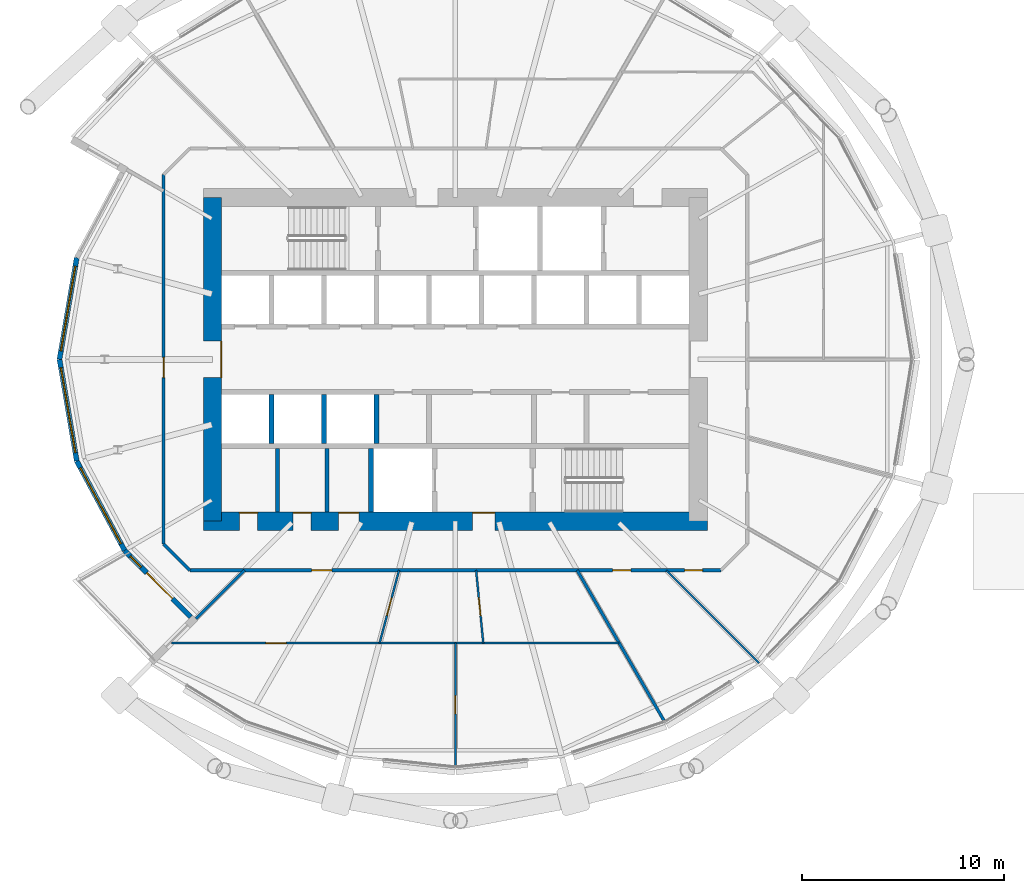
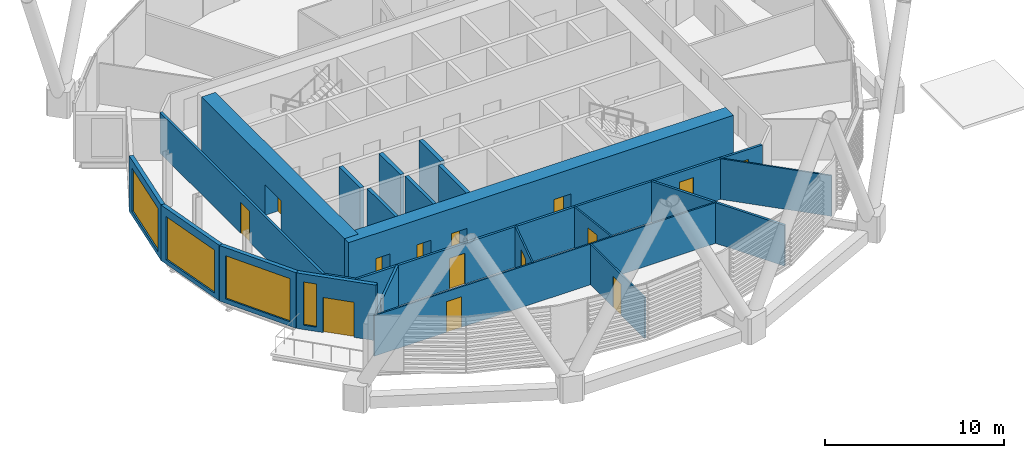
# One storey, part 22 of 34: 23 walls, 14 doors, 4 windows, 18 openings.
"""IFC4 building model written with IfcOpenShell, lengths in metres."""

from ifc_helpers import new_model, si_unit, direction, frame, frame_2d, origin, place, context, subcontext, project, spatial, rectangle, extrude, material, layer, layer_set, type_object, element, fill, save


model = new_model("IFC4")

# Units and contexts
model_context = context("Model", 3, precision=1e-05, world=origin(), true_north=direction((0.0, 1.0)))
body_context = subcontext(model_context, "Body", "Model", "MODEL_VIEW")
ifc_project = project(units=[si_unit("LENGTHUNIT", "METRE"), si_unit("AREAUNIT", "SQUARE_METRE"), si_unit("VOLUMEUNIT", "CUBIC_METRE"), si_unit("PLANEANGLEUNIT", "RADIAN"), si_unit("MASSUNIT", "GRAM", prefix="KILO")], contexts=[model_context])

# Site, building, storey
site_placement = place(None, origin())
site = spatial("IfcSite", under=ifc_project, at=site_placement, CompositionType="ELEMENT")
building_placement = place(site_placement, origin())
building = spatial("IfcBuilding", under=site, at=building_placement, Name="Rimbun Link Towers", CompositionType="ELEMENT")
storey_placement = place(building_placement, frame((0.0, 0.0, 41.39990234375)))
storey = spatial("IfcBuildingStorey", under=building, at=storey_placement, Name="L09", CompositionType="ELEMENT", Elevation=41.39990234375)

# Wall, opening, window
ifc_material_1 = material(Name="Dark enamelled glass spandrel on insulated aluminium backpan", Category="aluminium")
ifc_layer_1 = layer(ifc_material_1, 0.25)
ifc_layer_set_1 = layer_set([ifc_layer_1], Name="CS dark enamelled spandrel wall 250")
wall_type_1 = type_object("IfcWallType", Name="CS dark enamelled spandrel wall 250", PredefinedType="STANDARD", material=ifc_layer_set_1)
wall_1_placement = place(storey_placement, frame((-51.318603515625, 0.0, 0.0), z_axis=(0.0, 0.0, 1.0), x_axis=(0.167358464332, 0.985896112385, 0.0)))
wall_1 = element("IfcWall", 1, at=wall_1_placement, inside=storey, type_object=wall_type_1, Name="Crease spandrel wall", PredefinedType="STANDARD", context=body_context, shape_type="SweptSolid", body=[
    extrude(rectangle(XDim=5.095458984375, YDim=0.25, at=frame_2d((2.5478515625, 0.0))), origin(), (0.0, 0.0, 1.0), 3.800048828125),
])
opening_1_placement = place(wall_1_placement, frame((0.4228515625, 0.0, 0.300048828125)))
opening_1 = element("IfcOpeningElement", 2, at=opening_1_placement, cuts=wall_1, Name="Opening WR42H295", PredefinedType="OPENING", context=body_context, shape_type="SweptSolid", body=[
    extrude(rectangle(XDim=4.25, YDim=2.949951171875, at=frame_2d((2.125, 1.47509765625))), frame((0.0, 0.135009765625, 0.0), z_axis=(0.0, -1.0, 0.0), x_axis=(1.0, 0.0, 0.0)), (0.0, 0.0, 1.0), 0.27001953125),
])
ifc_material_2 = material(Name="Aluminium framed fixed window, dark tinted low-e glass", Category="aluminium")
window_type_1 = type_object("IfcWindowType", Name="WR ribbon window 4250X2950", PartitioningType="SINGLE_PANEL", PredefinedType="WINDOW", material=ifc_material_2)
window_1_placement = place(opening_1_placement, origin())
window_1 = element("IfcWindow", 3, at=window_1_placement, inside=storey, type_object=window_type_1, Name="Crease ribbon window", OverallHeight=2.949951171875, OverallWidth=4.25, PartitioningType="SINGLE_PANEL", PredefinedType="WINDOW", context=body_context, shape_type="SweptSolid", body=[
    extrude(rectangle(XDim=4.25, YDim=2.949951171875, at=frame_2d((2.125, 1.47509765625))), frame((0.0, 0.030029296875, 0.0), z_axis=(0.0, -1.0, 0.0), x_axis=(1.0, 0.0, 0.0)), (0.0, 0.0, 1.0), 0.06005859375),
])
fill(opening_1, window_1)

wall_2_placement = place(storey_placement, frame((-50.4658203125, -5.023681640625, 0.0), z_axis=(0.0, 0.0, 1.0), x_axis=(-0.167358464332, 0.985896112385, 0.0)))
wall_2 = element("IfcWall", 4, at=wall_2_placement, inside=storey, type_object=wall_type_1, Name="Crease spandrel wall", PredefinedType="STANDARD", context=body_context, shape_type="SweptSolid", body=[
    extrude(rectangle(XDim=5.095458984375, YDim=0.25, at=frame_2d((2.5478515625, 0.0))), origin(), (0.0, 0.0, 1.0), 3.800048828125),
])
opening_2_placement = place(wall_2_placement, frame((0.4228515625, 0.0, 0.300048828125)))
opening_2 = element("IfcOpeningElement", 5, at=opening_2_placement, cuts=wall_2, Name="Opening WR42H295", PredefinedType="OPENING", context=body_context, shape_type="SweptSolid", body=[
    extrude(rectangle(XDim=4.25, YDim=2.949951171875, at=frame_2d((2.125, 1.47509765625))), frame((0.0, 0.135009765625, 0.0), z_axis=(0.0, -1.0, 0.0), x_axis=(1.0, 0.0, 0.0)), (0.0, 0.0, 1.0), 0.27001953125),
])
window_2_placement = place(opening_2_placement, origin())
window_2 = element("IfcWindow", 6, at=window_2_placement, inside=storey, type_object=window_type_1, Name="Crease ribbon window", OverallHeight=2.949951171875, OverallWidth=4.25, PartitioningType="SINGLE_PANEL", PredefinedType="WINDOW", context=body_context, shape_type="SweptSolid", body=[
    extrude(rectangle(XDim=4.25, YDim=2.949951171875, at=frame_2d((2.125, 1.47509765625))), frame((0.0, 0.030029296875, 0.0), z_axis=(0.0, -1.0, 0.0), x_axis=(1.0, 0.0, 0.0)), (0.0, 0.0, 1.0), 0.06005859375),
])
fill(opening_2, window_2)

wall_3_placement = place(storey_placement, frame((-48.095947265625, -9.453857421875, 0.0), z_axis=(0.0, 0.0, 1.0), x_axis=(-0.47169003293, 0.8817644316, 0.0)))
wall_3 = element("IfcWall", 7, at=wall_3_placement, inside=storey, type_object=wall_type_1, Name="Crease spandrel wall", PredefinedType="STANDARD", context=body_context, shape_type="SweptSolid", body=[
    extrude(rectangle(XDim=5.024169921875, YDim=0.25, at=frame_2d((2.51220703125, 0.0))), origin(), (0.0, 0.0, 1.0), 3.800048828125),
])
opening_3_placement = place(wall_3_placement, frame((0.386962890625, 0.0, 0.300048828125)))
opening_3 = element("IfcOpeningElement", 8, at=opening_3_placement, cuts=wall_3, Name="Opening WR42H295", PredefinedType="OPENING", context=body_context, shape_type="SweptSolid", body=[
    extrude(rectangle(XDim=4.25, YDim=2.949951171875, at=frame_2d((2.125, 1.47509765625))), frame((0.0, 0.135009765625, 0.0), z_axis=(0.0, -1.0, 0.0), x_axis=(1.0, 0.0, 0.0)), (0.0, 0.0, 1.0), 0.27001953125),
])
window_3_placement = place(opening_3_placement, origin())
window_3 = element("IfcWindow", 9, at=window_3_placement, inside=storey, type_object=window_type_1, Name="Crease ribbon window", OverallHeight=2.949951171875, OverallWidth=4.25, PartitioningType="SINGLE_PANEL", PredefinedType="WINDOW", context=body_context, shape_type="SweptSolid", body=[
    extrude(rectangle(XDim=4.25, YDim=2.949951171875, at=frame_2d((2.125, 1.47509765625))), frame((0.0, 0.030029296875, 0.0), z_axis=(0.0, -1.0, 0.0), x_axis=(1.0, 0.0, 0.0)), (0.0, 0.0, 1.0), 0.06005859375),
])
fill(opening_3, window_3)

# Wall, openings, door, window
wall_4_placement = place(storey_placement, frame((-44.8359375, -12.732421875, 0.0), z_axis=(0.0, 0.0, 1.0), x_axis=(-0.70509736634, 0.709110501953, 0.0)))
wall_4 = element("IfcWall", 10, at=wall_4_placement, inside=storey, type_object=wall_type_1, Name="Crease spandrel wall", PredefinedType="STANDARD", context=body_context, shape_type="SweptSolid", body=[
    extrude(rectangle(XDim=4.62353515625, YDim=0.25, at=frame_2d((2.311767578125, 0.0))), origin(), (0.0, 0.0, 1.0), 3.800048828125),
])
opening_4_placement = place(wall_4_placement, frame((3.4755859375, 0.0, 0.300048828125)))
opening_4 = element("IfcOpeningElement", 11, at=opening_4_placement, cuts=wall_4, Name="Opening WR08H295", PredefinedType="OPENING", context=body_context, shape_type="SweptSolid", body=[
    extrude(rectangle(XDim=0.75, YDim=2.949951171875, at=frame_2d((0.375, 1.47509765625))), frame((0.0, 0.135009765625, 0.0), z_axis=(0.0, -1.0, 0.0), x_axis=(1.0, 0.0, 0.0)), (0.0, 0.0, 1.0), 0.27001953125),
])
opening_5_placement = place(wall_4_placement, frame((1.27783203125, 0.0, 0.0)))
opening_5 = element("IfcOpeningElement", 12, at=opening_5_placement, cuts=wall_4, Name="Opening ED53", PredefinedType="OPENING", context=body_context, shape_type="SweptSolid", body=[
    extrude(rectangle(XDim=1.800048828125, YDim=2.39990234375, at=frame_2d((0.89990234375, 1.199951171875))), frame((0.0, 0.135009765625, 0.0), z_axis=(0.0, -1.0, 0.0), x_axis=(1.0, 0.0, 0.0)), (0.0, 0.0, 1.0), 0.27001953125),
])
ifc_material_3 = material(Name="Aluminium framed glazed door, low-iron glass", Category="aluminium")
door_type_1 = type_object("IfcDoorType", Name="ED terrace door double leaf 1800X2400", OperationType="DOUBLE_DOOR_SINGLE_SWING", PredefinedType="DOOR", material=ifc_material_3)
door_1_placement = place(opening_5_placement, origin())
door_1 = element("IfcDoor", 13, at=door_1_placement, inside=storey, type_object=door_type_1, Name="Terrace door", OperationType="SINGLE_SWING_LEFT", OverallHeight=2.39990234375, OverallWidth=1.800048828125, PredefinedType="DOOR", context=body_context, shape_type="SweptSolid", body=[
    extrude(rectangle(XDim=1.800048828125, YDim=2.39990234375, at=frame_2d((0.89990234375, 1.199951171875))), frame((0.0, 0.02490234375, 0.0), z_axis=(0.0, -1.0, 0.0), x_axis=(1.0, 0.0, 0.0)), (0.0, 0.0, 1.0), 0.050048828125),
])
fill(opening_5, door_1)
ifc_material_4 = material(Name="Aluminium framed fixed window, dark tinted low-e glass", Category="aluminium")
window_type_2 = type_object("IfcWindowType", Name="WR ribbon window 750X2950", PartitioningType="SINGLE_PANEL", PredefinedType="WINDOW", material=ifc_material_4)
window_4_placement = place(opening_4_placement, origin())
window_4 = element("IfcWindow", 14, at=window_4_placement, inside=storey, type_object=window_type_2, Name="Crease ribbon window", OverallHeight=2.949951171875, OverallWidth=0.75, PartitioningType="SINGLE_PANEL", PredefinedType="WINDOW", context=body_context, shape_type="SweptSolid", body=[
    extrude(rectangle(XDim=0.75, YDim=2.949951171875, at=frame_2d((0.375, 1.47509765625))), frame((0.0, 0.030029296875, 0.0), z_axis=(0.0, -1.0, 0.0), x_axis=(1.0, 0.0, 0.0)), (0.0, 0.0, 1.0), 0.06005859375),
])
fill(opening_4, window_4)

# Walls
ifc_material_5 = material(Name="Masonry blockwork", Category="masonry")
ifc_layer_2 = layer(ifc_material_5, 0.199951171875)
ifc_layer_set_2 = layer_set([ifc_layer_2], Name="Core partition 200")
wall_type_2 = type_object("IfcWallType", Name="Core partition 200", PredefinedType="PARTITIONING", material=ifc_layer_set_2)
for number, where, z_axis, x_axis, name in (
    (15, (-40.550048828125, -4.39990234375, 0.0), (0.0, 0.0, 1.0), (0.0, -1.0, 0.0), "L09 T1 core wall C1"),
    (16, (-38.10009765625, -4.39990234375, 0.0), (0.0, 0.0, 1.0), (0.0, -1.0, 0.0), "L09 T1 core wall C2"),
):
    element("IfcWall", number, at=place(storey_placement, frame(where, z_axis=z_axis, x_axis=x_axis)), inside=storey, type_object=wall_type_2, Name=name, PredefinedType="PARTITIONING", context=body_context, shape_type="SweptSolid", body=[
        extrude(rectangle(XDim=3.150146484375, YDim=0.199951171875, at=frame_2d((1.5751953125, 0.0))), origin(), (0.0, 0.0, 1.0), 3.800048828125),
    ])

# Wall, openings, doors
ifc_material_6 = material(Name="Concrete C60/75", Category="concrete")
ifc_layer_3 = layer(ifc_material_6, 0.89990234375)
ifc_layer_set_3 = layer_set([ifc_layer_3], Name="Core shear wall 900")
wall_type_3 = type_object("IfcWallType", Name="Core shear wall 900", PredefinedType="SHEAR", material=ifc_layer_set_3)
wall_5_placement = place(storey_placement, frame((-44.199951171875, -8.0, 0.0), z_axis=(0.0, 0.0, 1.0), x_axis=(1.0, 0.0, 0.0)))
wall_5 = element("IfcWall", 17, at=wall_5_placement, inside=storey, type_object=wall_type_3, Name="L09 T1 core wall S", PredefinedType="SHEAR", context=body_context, shape_type="SweptSolid", body=[
    extrude(rectangle(XDim=24.89990234375, YDim=0.89990234375, at=frame_2d((12.449951171875, 0.0))), origin(), (0.0, 0.0, 1.0), 3.800048828125),
])
opening_6_placement = place(wall_5_placement, frame((13.300048828125, 0.0, 0.0)))
opening_6 = element("IfcOpeningElement", 18, at=opening_6_placement, cuts=wall_5, Name="Opening C1DCF01S", PredefinedType="OPENING", context=body_context, shape_type="SweptSolid", body=[
    extrude(rectangle(XDim=1.10009765625, YDim=2.10009765625, at=frame_2d((0.550048828125, 1.050048828125))), frame((0.0, 0.4599609375, 0.0), z_axis=(0.0, -1.0, 0.0), x_axis=(1.0, 0.0, 0.0)), (0.0, 0.0, 1.0), 0.919921875),
])
opening_7_placement = place(wall_5_placement, frame((1.77490234375, 0.0, 0.0)))
opening_7 = element("IfcOpeningElement", 19, at=opening_7_placement, cuts=wall_5, Name="Opening C1DWC02S", PredefinedType="OPENING", context=body_context, shape_type="SweptSolid", body=[
    extrude(rectangle(XDim=0.89990234375, YDim=2.10009765625, at=frame_2d((0.449951171875, 1.050048828125))), frame((0.0, 0.4599609375, 0.0), z_axis=(0.0, -1.0, 0.0), x_axis=(1.0, 0.0, 0.0)), (0.0, 0.0, 1.0), 0.919921875),
])
opening_8_placement = place(wall_5_placement, frame((4.425048828125, 0.0, 0.0)))
opening_8 = element("IfcOpeningElement", 20, at=opening_8_placement, cuts=wall_5, Name="Opening C1DWC03S", PredefinedType="OPENING", context=body_context, shape_type="SweptSolid", body=[
    extrude(rectangle(XDim=0.89990234375, YDim=2.10009765625, at=frame_2d((0.449951171875, 1.050048828125))), frame((0.0, 0.4599609375, 0.0), z_axis=(0.0, -1.0, 0.0), x_axis=(1.0, 0.0, 0.0)), (0.0, 0.0, 1.0), 0.919921875),
])
opening_9_placement = place(wall_5_placement, frame((6.675048828125, 0.0, 0.0)))
opening_9 = element("IfcOpeningElement", 21, at=opening_9_placement, cuts=wall_5, Name="Opening C1DAW04S", PredefinedType="OPENING", context=body_context, shape_type="SweptSolid", body=[
    extrude(rectangle(XDim=1.0, YDim=2.10009765625, at=frame_2d((0.5, 1.050048828125))), frame((0.0, 0.4599609375, 0.0), z_axis=(0.0, -1.0, 0.0), x_axis=(1.0, 0.0, 0.0)), (0.0, 0.0, 1.0), 0.919921875),
])
ifc_material_7 = material(Name="Timber", Category="wood")
door_type_2 = type_object("IfcDoorType", Name="Accessible WC door", OperationType="SINGLE_SWING_LEFT", PredefinedType="DOOR", material=ifc_material_7)
door_2_placement = place(opening_9_placement, origin())
door_2 = element("IfcDoor", 22, at=door_2_placement, inside=storey, type_object=door_type_2, Name="L09 T1 accessible wc door", OperationType="SINGLE_SWING_RIGHT", OverallHeight=2.10009765625, OverallWidth=1.0, PredefinedType="DOOR", context=body_context, shape_type="SweptSolid", body=[
    extrude(rectangle(XDim=1.0, YDim=2.10009765625, at=frame_2d((0.5, 1.050048828125))), frame((0.0, 0.4501953125, 0.0), z_axis=(0.0, -1.0, 0.0), x_axis=(1.0, 0.0, 0.0)), (0.0, 0.0, 1.0), 0.050048828125),
])
fill(opening_9, door_2)
ifc_material_8 = material(Name="Steel fire door set", Category="steel")
door_type_3 = type_object("IfcDoorType", Name="Core fire door single", OperationType="SINGLE_SWING_LEFT", PredefinedType="DOOR", material=ifc_material_8)
door_3_placement = place(opening_6_placement, origin())
door_3 = element("IfcDoor", 23, at=door_3_placement, inside=storey, type_object=door_type_3, Name="L09 T1 firefighting lobby s door", OperationType="SINGLE_SWING_RIGHT", OverallHeight=2.10009765625, OverallWidth=1.10009765625, PredefinedType="DOOR", context=body_context, shape_type="SweptSolid", body=[
    extrude(rectangle(XDim=1.10009765625, YDim=2.10009765625, at=frame_2d((0.550048828125, 1.050048828125))), frame((0.0, 0.4501953125, 0.0), z_axis=(0.0, -1.0, 0.0), x_axis=(1.0, 0.0, 0.0)), (0.0, 0.0, 1.0), 0.050048828125),
])
fill(opening_6, door_3)
ifc_material_9 = material(Name="Timber", Category="wood")
door_type_4 = type_object("IfcDoorType", Name="WC door", OperationType="SINGLE_SWING_LEFT", PredefinedType="DOOR", material=ifc_material_9)
door_4_placement = place(opening_7_placement, origin())
door_4 = element("IfcDoor", 24, at=door_4_placement, inside=storey, type_object=door_type_4, Name="L09 T1 male wc door", OperationType="SINGLE_SWING_RIGHT", OverallHeight=2.10009765625, OverallWidth=0.89990234375, PredefinedType="DOOR", context=body_context, shape_type="SweptSolid", body=[
    extrude(rectangle(XDim=0.89990234375, YDim=2.10009765625, at=frame_2d((0.449951171875, 1.050048828125))), frame((0.0, 0.4501953125, 0.0), z_axis=(0.0, -1.0, 0.0), x_axis=(1.0, 0.0, 0.0)), (0.0, 0.0, 1.0), 0.050048828125),
])
fill(opening_7, door_4)
door_5_placement = place(opening_8_placement, origin())
door_5 = element("IfcDoor", 25, at=door_5_placement, inside=storey, type_object=door_type_4, Name="L09 T1 female wc door", OperationType="SINGLE_SWING_LEFT", OverallHeight=2.10009765625, OverallWidth=0.89990234375, PredefinedType="DOOR", context=body_context, shape_type="SweptSolid", body=[
    extrude(rectangle(XDim=0.89990234375, YDim=2.10009765625, at=frame_2d((0.449951171875, 1.050048828125))), frame((0.0, 0.4501953125, 0.0), z_axis=(0.0, -1.0, 0.0), x_axis=(1.0, 0.0, 0.0)), (0.0, 0.0, 1.0), 0.050048828125),
])
fill(opening_8, door_5)

# Wall, opening, door
wall_6_placement = place(storey_placement, frame((-43.75, -8.0, 0.0), z_axis=(0.0, 0.0, 1.0), x_axis=(0.0, 1.0, 0.0)))
wall_6 = element("IfcWall", 26, at=wall_6_placement, inside=storey, type_object=wall_type_3, Name="L09 T1 core wall W", PredefinedType="SHEAR", context=body_context, shape_type="SweptSolid", body=[
    extrude(rectangle(XDim=16.0, YDim=0.89990234375, at=frame_2d((8.0, 0.0))), origin(), (0.0, 0.0, 1.0), 3.800048828125),
])
opening_10_placement = place(wall_6_placement, frame((7.10009765625, 0.0, 0.0)))
opening_10 = element("IfcOpeningElement", 27, at=opening_10_placement, cuts=wall_6, Name="Opening C1DCL01W", PredefinedType="OPENING", context=body_context, shape_type="SweptSolid", body=[
    extrude(rectangle(XDim=1.800048828125, YDim=2.10009765625, at=frame_2d((0.89990234375, 1.050048828125))), frame((0.0, 0.4599609375, 0.0), z_axis=(0.0, -1.0, 0.0), x_axis=(1.0, 0.0, 0.0)), (0.0, 0.0, 1.0), 0.919921875),
])
ifc_material_10 = material(Name="Steel fire door set", Category="steel")
door_type_5 = type_object("IfcDoorType", Name="Core lobby door double", OperationType="DOUBLE_DOOR_SINGLE_SWING", PredefinedType="DOOR", material=ifc_material_10)
door_6_placement = place(opening_10_placement, origin())
door_6 = element("IfcDoor", 28, at=door_6_placement, inside=storey, type_object=door_type_5, Name="L09 T1 lift lobby door", OperationType="DOUBLE_DOOR_SINGLE_SWING", OverallHeight=2.10009765625, OverallWidth=1.800048828125, PredefinedType="DOOR", context=body_context, shape_type="SweptSolid", body=[
    extrude(rectangle(XDim=1.800048828125, YDim=2.10009765625, at=frame_2d((0.89990234375, 1.050048828125))), frame((0.0, -0.39990234375, 0.0), z_axis=(0.0, -1.0, 0.0), x_axis=(1.0, 0.0, 0.0)), (0.0, 0.0, 1.0), 0.050048828125),
])
fill(opening_10, door_6)

# Wall, openings, doors
ifc_material_11 = material(Name="Plasterboard on steel stud, mineral wool", Category="steel")
ifc_layer_4 = layer(ifc_material_11, 0.14990234375)
ifc_layer_set_4 = layer_set([ifc_layer_4], Name="Corridor wall EI 30 150 mm")
wall_type_4 = type_object("IfcWallType", Name="Corridor wall EI 30 150 mm", PredefinedType="PARTITIONING", material=ifc_layer_set_4)
wall_7_placement = place(storey_placement, frame((-18.623291015625, -10.425048828125, 0.0), z_axis=(0.0, 0.0, 1.0), x_axis=(-1.0, 0.0, 0.0)))
wall_7 = element("IfcWall", 29, at=wall_7_placement, inside=storey, type_object=wall_type_4, Name="Corridor wall EI 30 150 mm", PredefinedType="PARTITIONING", context=body_context, shape_type="SweptSolid", body=[
    extrude(rectangle(XDim=26.25341796875, YDim=0.14990234375, at=frame_2d((13.126708984375, 0.0))), origin(), (0.0, 0.0, 1.0), 2.779052734375),
])
opening_11_placement = place(wall_7_placement, frame((19.231689453125, 0.0, 0.0)))
opening_11 = element("IfcOpeningElement", 30, at=opening_11_placement, cuts=wall_7, Name="Opening D01", PredefinedType="OPENING", context=body_context, shape_type="SweptSolid", body=[
    extrude(rectangle(XDim=1.0, YDim=2.10009765625, at=frame_2d((0.5, 1.050048828125))), frame((0.0, 0.0849609375, 0.0), z_axis=(0.0, -1.0, 0.0), x_axis=(1.0, 0.0, 0.0)), (0.0, 0.0, 1.0), 0.169921875),
])
opening_12_placement = place(wall_7_placement, frame((4.454833984375, 0.0, 0.0)))
opening_12 = element("IfcOpeningElement", 31, at=opening_12_placement, cuts=wall_7, Name="Opening D02", PredefinedType="OPENING", context=body_context, shape_type="SweptSolid", body=[
    extrude(rectangle(XDim=0.89990234375, YDim=2.10009765625, at=frame_2d((0.449951171875, 1.050048828125))), frame((0.0, 0.0849609375, 0.0), z_axis=(0.0, -1.0, 0.0), x_axis=(1.0, 0.0, 0.0)), (0.0, 0.0, 1.0), 0.169921875),
])
opening_13_placement = place(wall_7_placement, frame((0.90087890625, 0.0, 0.0)))
opening_13 = element("IfcOpeningElement", 32, at=opening_13_placement, cuts=wall_7, Name="Opening D02", PredefinedType="OPENING", context=body_context, shape_type="SweptSolid", body=[
    extrude(rectangle(XDim=0.89990234375, YDim=2.10009765625, at=frame_2d((0.449951171875, 1.050048828125))), frame((0.0, 0.0849609375, 0.0), z_axis=(0.0, -1.0, 0.0), x_axis=(1.0, 0.0, 0.0)), (0.0, 0.0, 1.0), 0.169921875),
])
ifc_material_12 = material(Name="Fire-resisting timber door leaf", Category="wood")
door_type_6 = type_object("IfcDoorType", Name="Fire door FD30S 1000", OperationType="NOTDEFINED", PredefinedType="DOOR", material=ifc_material_12)
door_7_placement = place(opening_11_placement, origin())
door_7 = element("IfcDoor", 33, at=door_7_placement, inside=storey, type_object=door_type_6, Name="Fire door FD30S 1000 to Reception", OperationType="SINGLE_SWING_LEFT", OverallHeight=2.10009765625, OverallWidth=1.0, PredefinedType="DOOR", context=body_context, shape_type="SweptSolid", body=[
    extrude(rectangle(XDim=1.0, YDim=2.10009765625, at=frame_2d((0.5, 1.050048828125))), frame((0.0, 0.02490234375, 0.0), z_axis=(0.0, -1.0, 0.0), x_axis=(1.0, 0.0, 0.0)), (0.0, 0.0, 1.0), 0.050048828125),
])
fill(opening_11, door_7)
ifc_material_13 = material(Name="Fire-resisting timber door leaf", Category="wood")
door_type_7 = type_object("IfcDoorType", Name="Fire door FD30S 900", OperationType="NOTDEFINED", PredefinedType="DOOR", material=ifc_material_13)
door_8_placement = place(opening_12_placement, origin())
door_8 = element("IfcDoor", 34, at=door_8_placement, inside=storey, type_object=door_type_7, Name="Fire door FD30S 900 to Cellular office", OperationType="SINGLE_SWING_RIGHT", OverallHeight=2.10009765625, OverallWidth=0.89990234375, PredefinedType="DOOR", context=body_context, shape_type="SweptSolid", body=[
    extrude(rectangle(XDim=0.89990234375, YDim=2.10009765625, at=frame_2d((0.449951171875, 1.050048828125))), frame((0.0, 0.02490234375, 0.0), z_axis=(0.0, -1.0, 0.0), x_axis=(1.0, 0.0, 0.0)), (0.0, 0.0, 1.0), 0.050048828125),
])
fill(opening_12, door_8)
door_9_placement = place(opening_13_placement, origin())
door_9 = element("IfcDoor", 35, at=door_9_placement, inside=storey, type_object=door_type_7, Name="Fire door FD30S 900 to Cellular office", OperationType="SINGLE_SWING_LEFT", OverallHeight=2.10009765625, OverallWidth=0.89990234375, PredefinedType="DOOR", context=body_context, shape_type="SweptSolid", body=[
    extrude(rectangle(XDim=0.89990234375, YDim=2.10009765625, at=frame_2d((0.449951171875, 1.050048828125))), frame((0.0, 0.02490234375, 0.0), z_axis=(0.0, -1.0, 0.0), x_axis=(1.0, 0.0, 0.0)), (0.0, 0.0, 1.0), 0.050048828125),
])
fill(opening_13, door_9)

# Wall
wall_8_placement = place(storey_placement, frame((-46.175048828125, -9.126708984375, 0.0), z_axis=(0.0, 0.0, 1.0), x_axis=(0.707106781187, -0.707106781187, 0.0)))
element("IfcWall", 36, at=wall_8_placement, inside=storey, type_object=wall_type_4, Name="Corridor wall EI 30 150 mm", PredefinedType="PARTITIONING", context=body_context, shape_type="SweptSolid", body=[
    extrude(rectangle(XDim=1.836181640625, YDim=0.14990234375, at=frame_2d((0.91796875, 0.0))), origin(), (0.0, 0.0, 1.0), 2.779052734375),
])

# Wall, opening, door
wall_9_placement = place(storey_placement, frame((-46.175048828125, -9.126708984375, 0.0), z_axis=(0.0, 0.0, 1.0), x_axis=(0.0, 1.0, 0.0)))
wall_9 = element("IfcWall", 37, at=wall_9_placement, inside=storey, type_object=wall_type_4, Name="Corridor wall EI 30 150 mm", PredefinedType="PARTITIONING", context=body_context, shape_type="SweptSolid", body=[
    extrude(rectangle(XDim=18.25341796875, YDim=0.14990234375, at=frame_2d((9.126708984375, 0.0))), origin(), (0.0, 0.0, 1.0), 2.779052734375),
])
opening_14_placement = place(wall_9_placement, frame((8.2275390625, 0.0, 0.0)))
opening_14 = element("IfcOpeningElement", 38, at=opening_14_placement, cuts=wall_9, Name="Opening D01", PredefinedType="OPENING", context=body_context, shape_type="SweptSolid", body=[
    extrude(rectangle(XDim=1.0, YDim=2.10009765625, at=frame_2d((0.5, 1.050048828125))), frame((0.0, 0.0849609375, 0.0), z_axis=(0.0, -1.0, 0.0), x_axis=(1.0, 0.0, 0.0)), (0.0, 0.0, 1.0), 0.169921875),
])
door_10_placement = place(opening_14_placement, origin())
door_10 = element("IfcDoor", 39, at=door_10_placement, inside=storey, type_object=door_type_6, Name="Fire door FD30S 1000 to Terrace office", OperationType="SINGLE_SWING_RIGHT", OverallHeight=2.10009765625, OverallWidth=1.0, PredefinedType="DOOR", context=body_context, shape_type="SweptSolid", body=[
    extrude(rectangle(XDim=1.0, YDim=2.10009765625, at=frame_2d((0.5, 1.050048828125))), frame((0.0, 0.02490234375, 0.0), z_axis=(0.0, -1.0, 0.0), x_axis=(1.0, 0.0, 0.0)), (0.0, 0.0, 1.0), 0.050048828125),
])
fill(opening_14, door_10)

ifc_material_14 = material(Name="Plasterboard on steel stud", Category="steel")
ifc_layer_5 = layer(ifc_material_14, 0.10009765625)
ifc_layer_set_5 = layer_set([ifc_layer_5], Name="Plasterboard partition 100 mm")
wall_type_5 = type_object("IfcWallType", Name="Plasterboard partition 100 mm", PredefinedType="PARTITIONING", material=ifc_layer_set_5)
wall_10_placement = place(storey_placement, frame((-34.53515625, -10.425048828125, 0.0), z_axis=(0.0, 0.0, 1.0), x_axis=(-0.258090828654, -0.966120657146, 0.0)))
wall_10 = element("IfcWall", 40, at=wall_10_placement, inside=storey, type_object=wall_type_5, Name="Plasterboard partition 100 mm", PredefinedType="PARTITIONING", context=body_context, shape_type="SweptSolid", body=[
    extrude(rectangle(XDim=3.72607421875, YDim=0.10009765625, at=frame_2d((1.863037109375, 0.0))), origin(), (0.0, 0.0, 1.0), 2.779052734375),
])
opening_15_placement = place(wall_10_placement, frame((1.4130859375, 0.0, 0.0)))
opening_15 = element("IfcOpeningElement", 41, at=opening_15_placement, cuts=wall_10, Name="Opening D04", PredefinedType="OPENING", context=body_context, shape_type="SweptSolid", body=[
    extrude(rectangle(XDim=0.89990234375, YDim=2.10009765625, at=frame_2d((0.449951171875, 1.050048828125))), frame((0.0, 0.06005859375, 0.0), z_axis=(0.0, -1.0, 0.0), x_axis=(1.0, 0.0, 0.0)), (0.0, 0.0, 1.0), 0.1201171875),
])
ifc_material_15 = material(Name="Timber door leaf", Category="wood")
door_type_8 = type_object("IfcDoorType", Name="Flush door 900", OperationType="NOTDEFINED", PredefinedType="DOOR", material=ifc_material_15)
door_11_placement = place(opening_15_placement, origin())
door_11 = element("IfcDoor", 42, at=door_11_placement, inside=storey, type_object=door_type_8, Name="Flush door 900 to Meeting room", OperationType="SINGLE_SWING_LEFT", OverallHeight=2.10009765625, OverallWidth=0.89990234375, PredefinedType="DOOR", context=body_context, shape_type="SweptSolid", body=[
    extrude(rectangle(XDim=0.89990234375, YDim=2.10009765625, at=frame_2d((0.449951171875, 1.050048828125))), frame((0.0, 0.02490234375, 0.0), z_axis=(0.0, -1.0, 0.0), x_axis=(1.0, 0.0, 0.0)), (0.0, 0.0, 1.0), 0.050048828125),
])
fill(opening_15, door_11)

wall_11_placement = place(storey_placement, frame((-31.75, -14.02490234375, 0.0), z_axis=(0.0, 0.0, 1.0), x_axis=(-1.0, 0.0, 0.0)))
wall_11 = element("IfcWall", 43, at=wall_11_placement, inside=storey, type_object=wall_type_5, Name="Plasterboard partition 100 mm", PredefinedType="PARTITIONING", context=body_context, shape_type="SweptSolid", body=[
    extrude(rectangle(XDim=14.02490234375, YDim=0.10009765625, at=frame_2d((7.012451171875, 0.0))), origin(), (0.0, 0.0, 1.0), 2.779052734375),
])
opening_16_placement = place(wall_11_placement, frame((8.370361328125, 0.0, 0.0)))
opening_16 = element("IfcOpeningElement", 44, at=opening_16_placement, cuts=wall_11, Name="Opening D03", PredefinedType="OPENING", context=body_context, shape_type="SweptSolid", body=[
    extrude(rectangle(XDim=1.0, YDim=2.10009765625, at=frame_2d((0.5, 1.050048828125))), frame((0.0, 0.06005859375, 0.0), z_axis=(0.0, -1.0, 0.0), x_axis=(1.0, 0.0, 0.0)), (0.0, 0.0, 1.0), 0.1201171875),
])
ifc_material_16 = material(Name="Timber door leaf", Category="wood")
door_type_9 = type_object("IfcDoorType", Name="Flush door 1000", OperationType="NOTDEFINED", PredefinedType="DOOR", material=ifc_material_16)
door_12_placement = place(opening_16_placement, origin())
door_12 = element("IfcDoor", 45, at=door_12_placement, inside=storey, type_object=door_type_9, Name="Flush door 1000 to Co-working space", OperationType="SINGLE_SWING_RIGHT", OverallHeight=2.10009765625, OverallWidth=1.0, PredefinedType="DOOR", context=body_context, shape_type="SweptSolid", body=[
    extrude(rectangle(XDim=1.0, YDim=2.10009765625, at=frame_2d((0.5, 1.050048828125))), frame((0.0, 0.02490234375, 0.0), z_axis=(0.0, -1.0, 0.0), x_axis=(1.0, 0.0, 0.0)), (0.0, 0.0, 1.0), 0.050048828125),
])
fill(opening_16, door_12)

wall_12_placement = place(storey_placement, frame((-30.7255859375, -10.425048828125, 0.0), z_axis=(0.0, 0.0, 1.0), x_axis=(0.097866352751, -0.995199566418, 0.0)))
wall_12 = element("IfcWall", 46, at=wall_12_placement, inside=storey, type_object=wall_type_5, Name="Plasterboard partition 100 mm", PredefinedType="PARTITIONING", context=body_context, shape_type="SweptSolid", body=[
    extrude(rectangle(XDim=3.6171875, YDim=0.10009765625, at=frame_2d((1.80859375, 0.0))), origin(), (0.0, 0.0, 1.0), 2.779052734375),
])
opening_17_placement = place(wall_12_placement, frame((1.358642578125, 0.0, 0.0)))
opening_17 = element("IfcOpeningElement", 47, at=opening_17_placement, cuts=wall_12, Name="Opening D04", PredefinedType="OPENING", context=body_context, shape_type="SweptSolid", body=[
    extrude(rectangle(XDim=0.89990234375, YDim=2.10009765625, at=frame_2d((0.449951171875, 1.050048828125))), frame((0.0, 0.06005859375, 0.0), z_axis=(0.0, -1.0, 0.0), x_axis=(1.0, 0.0, 0.0)), (0.0, 0.0, 1.0), 0.1201171875),
])
door_13_placement = place(opening_17_placement, origin())
door_13 = element("IfcDoor", 48, at=door_13_placement, inside=storey, type_object=door_type_8, Name="Flush door 900 to Pantry", OperationType="SINGLE_SWING_LEFT", OverallHeight=2.10009765625, OverallWidth=0.89990234375, PredefinedType="DOOR", context=body_context, shape_type="SweptSolid", body=[
    extrude(rectangle(XDim=0.89990234375, YDim=2.10009765625, at=frame_2d((0.449951171875, 1.050048828125))), frame((0.0, 0.02490234375, 0.0), z_axis=(0.0, -1.0, 0.0), x_axis=(1.0, 0.0, 0.0)), (0.0, 0.0, 1.0), 0.050048828125),
])
fill(opening_17, door_13)

# Wall
wall_13_placement = place(storey_placement, frame((-31.75, -14.02490234375, 0.0), z_axis=(0.0, 0.0, 1.0), x_axis=(1.0, 0.0, 0.0)))
element("IfcWall", 49, at=wall_13_placement, inside=storey, type_object=wall_type_5, Name="Plasterboard partition 100 mm", PredefinedType="PARTITIONING", context=body_context, shape_type="SweptSolid", body=[
    extrude(rectangle(XDim=8.097412109375, YDim=0.10009765625, at=frame_2d((4.048828125, 0.0))), origin(), (0.0, 0.0, 1.0), 2.779052734375),
])

# Wall, opening, door
wall_14_placement = place(storey_placement, frame((-31.75, -14.02490234375, 0.0), z_axis=(0.0, 0.0, 1.0), x_axis=(0.0, -1.0, 0.0)))
wall_14 = element("IfcWall", 50, at=wall_14_placement, inside=storey, type_object=wall_type_5, Name="Plasterboard partition 100 mm", PredefinedType="PARTITIONING", context=body_context, shape_type="SweptSolid", body=[
    extrude(rectangle(XDim=6.101806640625, YDim=0.10009765625, at=frame_2d((3.05078125, 0.0))), origin(), (0.0, 0.0, 1.0), 2.779052734375),
])
opening_18_placement = place(wall_14_placement, frame((2.600830078125, 0.0, 0.0)))
opening_18 = element("IfcOpeningElement", 51, at=opening_18_placement, cuts=wall_14, Name="Opening D04", PredefinedType="OPENING", context=body_context, shape_type="SweptSolid", body=[
    extrude(rectangle(XDim=0.89990234375, YDim=2.10009765625, at=frame_2d((0.449951171875, 1.050048828125))), frame((0.0, 0.06005859375, 0.0), z_axis=(0.0, -1.0, 0.0), x_axis=(1.0, 0.0, 0.0)), (0.0, 0.0, 1.0), 0.1201171875),
])
door_14_placement = place(opening_18_placement, origin())
door_14 = element("IfcDoor", 52, at=door_14_placement, inside=storey, type_object=door_type_8, Name="Flush door 900 to Serviced office", OperationType="SINGLE_SWING_LEFT", OverallHeight=2.10009765625, OverallWidth=0.89990234375, PredefinedType="DOOR", context=body_context, shape_type="SweptSolid", body=[
    extrude(rectangle(XDim=0.89990234375, YDim=2.10009765625, at=frame_2d((0.449951171875, 1.050048828125))), frame((0.0, 0.02490234375, 0.0), z_axis=(0.0, -1.0, 0.0), x_axis=(1.0, 0.0, 0.0)), (0.0, 0.0, 1.0), 0.050048828125),
])
fill(opening_18, door_14)

# Walls
wall_15_placement = place(storey_placement, frame((-16.73681640625, -15.01318359375, 0.0), z_axis=(0.0, 0.0, 1.0), x_axis=(-0.707106781187, 0.707106781187, 0.0)))
element("IfcWall", 53, at=wall_15_placement, inside=storey, type_object=wall_type_5, Name="Plasterboard partition 100 mm", PredefinedType="PARTITIONING", context=body_context, shape_type="SweptSolid", body=[
    extrude(rectangle(XDim=6.488525390625, YDim=0.10009765625, at=frame_2d((3.244140625, 0.0))), origin(), (0.0, 0.0, 1.0), 2.779052734375),
])
ifc_material_17 = material(Name="Concrete C60/75", Category="concrete")
ifc_layer_6 = layer(ifc_material_17, 0.25)
ifc_layer_set_6 = layer_set([ifc_layer_6], Name="Shaft wall 250")
wall_type_6 = type_object("IfcWallType", Name="Shaft wall 250", PredefinedType="SHEAR", material=ifc_layer_set_6)
for number, where, z_axis, x_axis, name in (
    (54, (-40.83056640625, -4.14990234375, 0.0), (0.0, 0.0, 1.0), (0.0, 1.0, 0.0), "L09 T1 core wall DS0"),
    (55, (-38.236083984375, -4.14990234375, 0.0), (0.0, 0.0, 1.0), (0.0, 1.0, 0.0), "L09 T1 core wall DS1"),
    (56, (-35.6416015625, -4.14990234375, 0.0), (0.0, 0.0, 1.0), (0.0, 1.0, 0.0), "L09 T1 core wall DS2"),
):
    element("IfcWall", number, at=place(storey_placement, frame(where, z_axis=z_axis, x_axis=x_axis)), inside=storey, type_object=wall_type_6, Name=name, PredefinedType="SHEAR", context=body_context, shape_type="SweptSolid", body=[
        extrude(rectangle(XDim=2.39990234375, YDim=0.25, at=frame_2d((1.199951171875, 0.0))), origin(), (0.0, 0.0, 1.0), 3.800048828125),
    ])
wall_16_placement = place(storey_placement, frame((-35.925048828125, -4.39990234375, 0.0), z_axis=(0.0, 0.0, 1.0), x_axis=(0.0, -1.0, 0.0)))
element("IfcWall", 57, at=wall_16_placement, inside=storey, type_object=wall_type_6, Name="L09 T1 core wall B3", PredefinedType="SHEAR", context=body_context, shape_type="SweptSolid", body=[
    extrude(rectangle(XDim=3.150146484375, YDim=0.25, at=frame_2d((1.5751953125, 0.0))), origin(), (0.0, 0.0, 1.0), 3.800048828125),
])
ifc_material_18 = material(Name="Plasterboard on steel stud, mineral wool", Category="steel")
ifc_layer_7 = layer(ifc_material_18, 0.14990234375)
ifc_layer_set_7 = layer_set([ifc_layer_7], Name="Tenancy separation wall EI 60 150 mm")
wall_type_7 = type_object("IfcWallType", Name="Tenancy separation wall EI 60 150 mm", PredefinedType="PARTITIONING", material=ifc_layer_set_7)
wall_17_placement = place(storey_placement, frame((-42.175048828125, -10.425048828125, 0.0), z_axis=(0.0, 0.0, 1.0), x_axis=(-0.707106781187, -0.707106781187, 0.0)))
element("IfcWall", 58, at=wall_17_placement, inside=storey, type_object=wall_type_7, Name="Tenancy separation wall EI 60 150 mm", PredefinedType="PARTITIONING", context=body_context, shape_type="SweptSolid", body=[
    extrude(rectangle(XDim=3.388916015625, YDim=0.14990234375, at=frame_2d((1.6943359375, 0.0))), origin(), (0.0, 0.0, 1.0), 2.779052734375),
])
wall_18_placement = place(storey_placement, frame((-25.731201171875, -10.425048828125, 0.0), z_axis=(0.0, 0.0, 1.0), x_axis=(0.500010951303, -0.866019080954, 0.0)))
element("IfcWall", 59, at=wall_18_placement, inside=storey, type_object=wall_type_7, Name="Tenancy separation wall EI 60 150 mm", PredefinedType="PARTITIONING", context=body_context, shape_type="SweptSolid", body=[
    extrude(rectangle(XDim=8.619384765625, YDim=0.14990234375, at=frame_2d((4.3095703125, 0.0))), origin(), (0.0, 0.0, 1.0), 2.779052734375),
])

save(model, "model.ifc")
